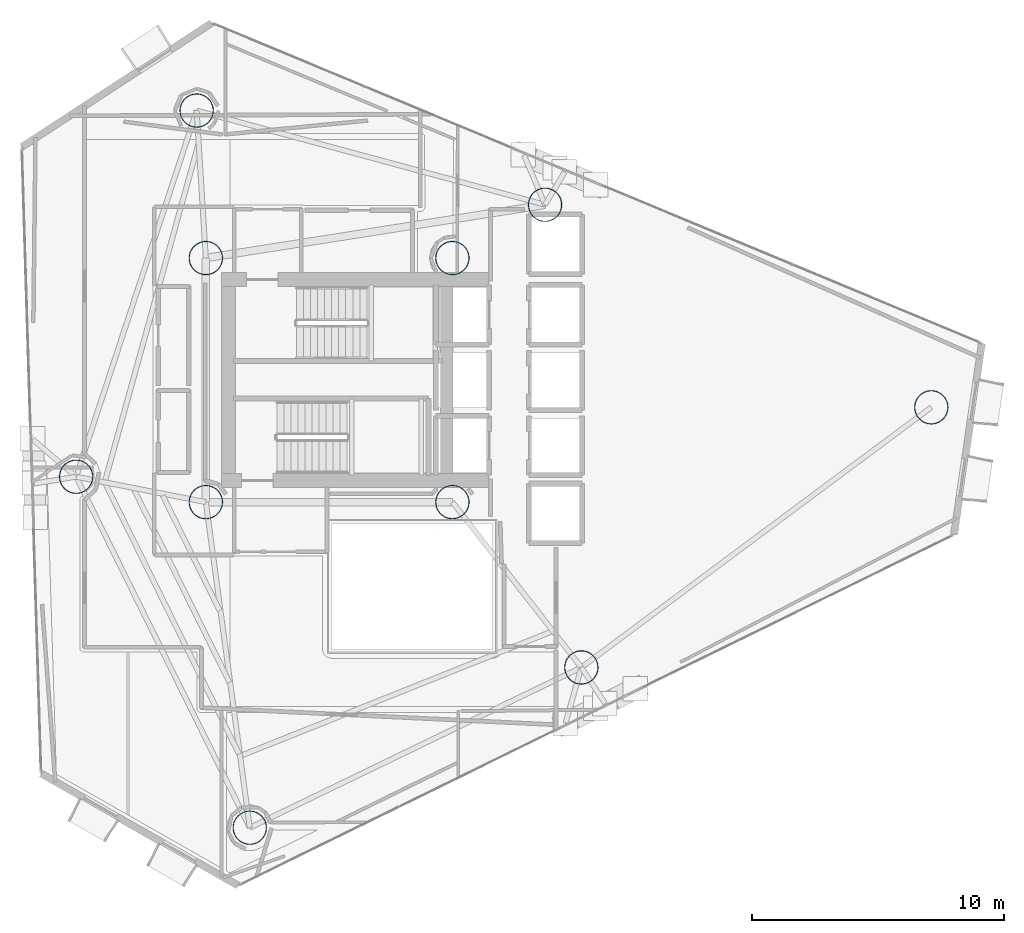
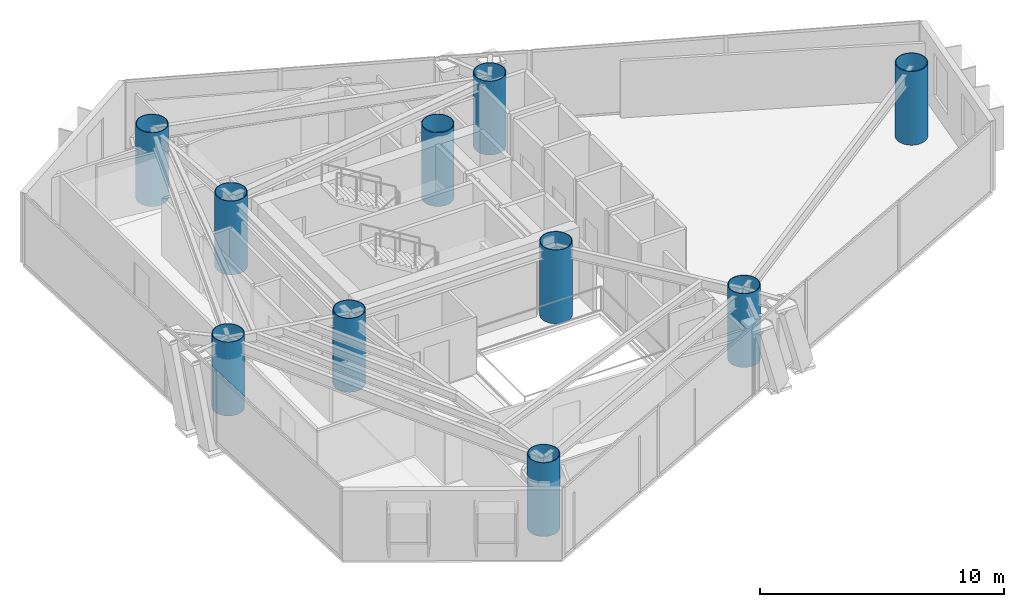
# One storey, part 1 of 22: 10 columns.
"""IFC4 building model written with IfcOpenShell, lengths in metres."""

from ifc_helpers import new_model, si_unit, direction, frame, origin, origin_2d, place, context, subcontext, project, spatial, hollow_circle, extrude, material, material_profile, profile_set, type_object, element, save


model = new_model("IFC4")

# Units and contexts
model_context = context("Model", 3, precision=1e-05, world=origin(), true_north=direction((0.0, 1.0)))
body_context = subcontext(model_context, "Body", "Model", "MODEL_VIEW")
ifc_project = project(units=[si_unit("LENGTHUNIT", "METRE"), si_unit("AREAUNIT", "SQUARE_METRE"), si_unit("VOLUMEUNIT", "CUBIC_METRE"), si_unit("PLANEANGLEUNIT", "RADIAN"), si_unit("MASSUNIT", "GRAM", prefix="KILO")], contexts=[model_context])

# Site, building, storey
site_placement = place(None, origin())
site = spatial("IfcSite", under=ifc_project, at=site_placement, CompositionType="ELEMENT")
building_placement = place(site_placement, origin())
building = spatial("IfcBuilding", under=site, at=building_placement, Name="Qianvela Tower", CompositionType="ELEMENT")
storey_placement = place(building_placement, frame((0.0, 0.0, 158.699951171875)))
storey = spatial("IfcBuildingStorey", under=building, at=storey_placement, Name="L40", CompositionType="ELEMENT", Elevation=158.699951171875)

# Columns
ifc_material = material(Name="Steel Q420GJC", Category="steel")
ifc_material_profile = material_profile(ifc_material, hollow_circle(Radius=0.675048828125, WallThickness=0.031982421875, at=origin_2d()), Name="CFT-1350x32")
ifc_profile_set = profile_set([ifc_material_profile], Name="Steel Q420GJC")
column_type = type_object("IfcColumnType", Name="COL-CFT-1350x32", PredefinedType="COLUMN", material=ifc_profile_set)
for number, where, z_axis, x_axis, name in (
    (1, (28.60009765625, 33.550048828125, 0.0), (0.0, 0.0, 1.0), (1.0, 0.0, 0.0), "L40 Core Corner Mega-Column CC-NW"),
    (2, (28.60009765625, 23.85009765625, 0.0), (0.0, 0.0, 1.0), (1.0, 0.0, 0.0), "L40 Core Corner Mega-Column CC-SW"),
    (3, (38.39990234375, 33.550048828125, 0.0), (0.0, 0.0, 1.0), (1.0, 0.0, 0.0), "L40 Core Corner Mega-Column CC-NE"),
    (4, (38.39990234375, 23.85009765625, 0.0), (0.0, 0.0, 1.0), (1.0, 0.0, 0.0), "L40 Core Corner Mega-Column CC-SE"),
    (5, (57.43408203125, 27.617919921875, 0.0), (0.0, 0.0, 1.0), (1.0, 0.0, 0.0), "L40 Zone Z4 CFT Mega-Column C1"),
    (6, (42.0830078125, 35.6689453125, 0.0), (0.0, 0.0, 1.0), (1.0, 0.0, 0.0), "L40 Zone Z4 CFT Mega-Column C2"),
    (7, (28.235107421875, 39.410888671875, 0.0), (0.0, 0.0, 1.0), (1.0, 0.0, 0.0), "L40 Zone Z4 CFT Mega-Column C3"),
    (8, (23.446044921875, 24.85888671875, 0.0), (0.0, 0.0, 1.0), (1.0, 0.0, 0.0), "L40 Zone Z4 CFT Mega-Column C4"),
    (9, (30.346923828125, 10.908935546875, 0.0), (0.0, 0.0, 1.0), (1.0, 0.0, 0.0), "L40 Zone Z4 CFT Mega-Column C5"),
    (10, (43.52490234375, 17.279052734375, 0.0), (0.0, 0.0, 1.0), (1.0, 0.0, 0.0), "L40 Zone Z4 CFT Mega-Column C6"),
):
    element("IfcColumn", number, at=place(storey_placement, frame(where, z_axis=z_axis, x_axis=x_axis)), inside=storey, type_object=column_type, Name=name, PredefinedType="COLUMN", context=body_context, shape_type="SweptSolid", body=[
        extrude(hollow_circle(Radius=0.675048828125, WallThickness=0.031982421875, at=origin_2d()), origin(), (0.0, 0.0, 1.0), 3.699951171875),
    ])

save(model, "model.ifc")
